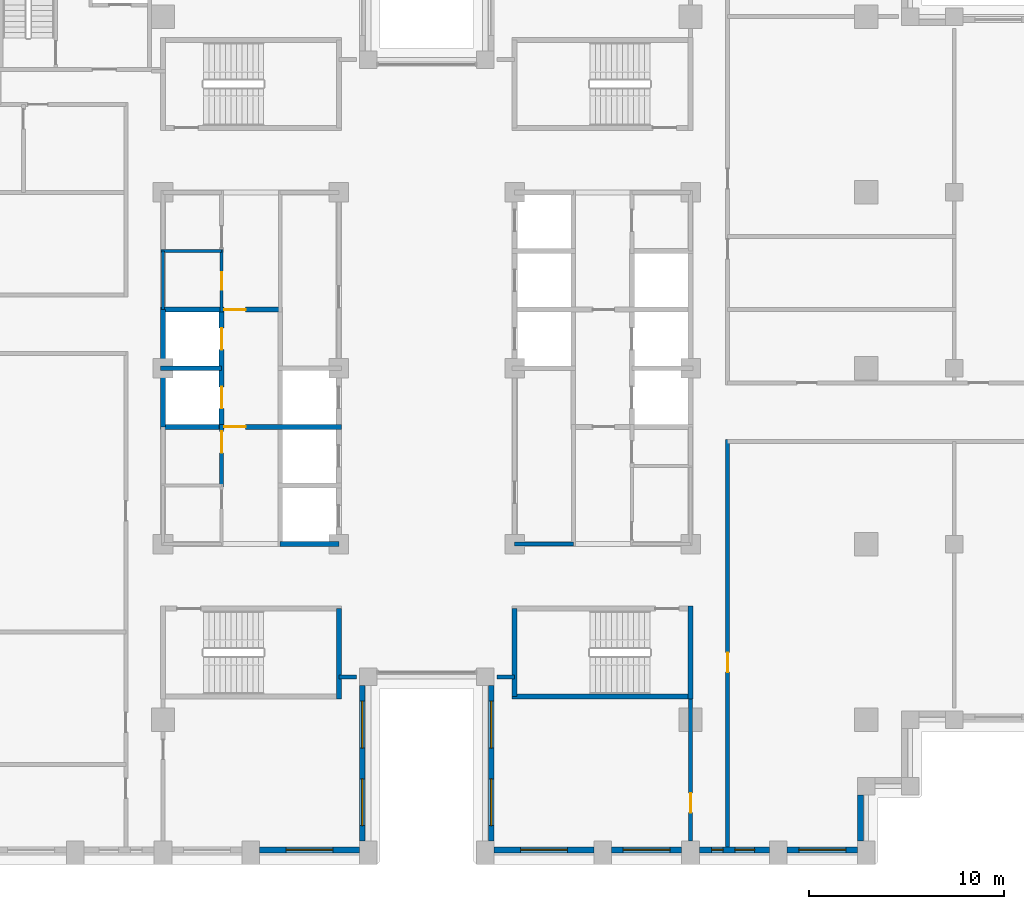
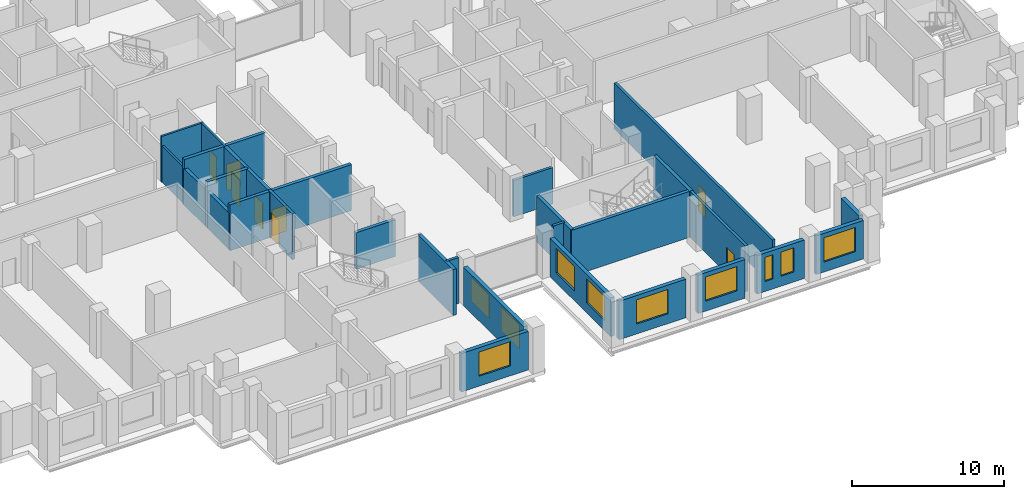
# One storey, part 7 of 15: 27 walls, 10 windows, 8 doors, 18 openings.
"""IFC4 building model written with IfcOpenShell, lengths in metres."""

from ifc_helpers import new_model, si_unit, direction, frame, frame_2d, origin, place, context, subcontext, project, spatial, rectangle, extrude, material, layer, layer_set, type_object, element, fill, save


model = new_model("IFC4")

# Units and contexts
model_context = context("Model", 3, precision=1e-05, world=origin(), true_north=direction((0.0, 1.0)))
body_context = subcontext(model_context, "Body", "Model", "MODEL_VIEW")
ifc_project = project(units=[si_unit("LENGTHUNIT", "METRE"), si_unit("AREAUNIT", "SQUARE_METRE"), si_unit("VOLUMEUNIT", "CUBIC_METRE"), si_unit("PLANEANGLEUNIT", "RADIAN"), si_unit("MASSUNIT", "GRAM", prefix="KILO")], contexts=[model_context])

# Site, building, storey
site_placement = place(None, origin())
site = spatial("IfcSite", under=ifc_project, at=site_placement, CompositionType="ELEMENT")
building_placement = place(site_placement, origin())
building = spatial("IfcBuilding", under=site, at=building_placement, Name="Corbelhall Arena Tower", CompositionType="ELEMENT")
storey_placement = place(building_placement, frame((0.0, 0.0, 80.0)))
storey = spatial("IfcBuildingStorey", under=building, at=storey_placement, Name="L12", CompositionType="ELEMENT", Elevation=80.0)

# Wall, opening, window
ifc_material_1 = material(Name="Precast concrete C40/50 with granite facing", Category="masonry")
ifc_layer_1 = layer(ifc_material_1, 0.300048828125)
ifc_layer_set_1 = layer_set([ifc_layer_1], Name="EV-IW1 Infill panel 300")
wall_type_1 = type_object("IfcWallType", Name="EV-IW1 Infill panel 300", PredefinedType="SOLIDWALL", material=ifc_layer_set_1)
wall_1_placement = place(storey_placement, frame((-8.550048828125, -24.64990234375, 0.0), z_axis=(0.0, 0.0, 1.0), x_axis=(1.0, 0.0, 0.0)))
wall_1 = element("IfcWall", 1, at=wall_1_placement, inside=storey, type_object=wall_type_1, Name="Infill panel IW1", PredefinedType="SOLIDWALL", context=body_context, shape_type="SweptSolid", body=[
    extrude(rectangle(XDim=5.10009765625, YDim=0.300048828125, at=frame_2d((2.550048828125, 0.0))), origin(), (0.0, 0.0, 1.0), 3.10009765625),
])
opening_1_placement = place(wall_1_placement, frame((1.35009765625, 0.0, 0.800048828125)))
opening_1 = element("IfcOpeningElement", 2, at=opening_1_placement, cuts=wall_1, Name="Opening WN1", PredefinedType="OPENING", context=body_context, shape_type="SweptSolid", body=[
    extrude(rectangle(XDim=2.39990234375, YDim=1.949951171875, at=frame_2d((1.199951171875, 0.97509765625))), frame((0.0, 0.14990234375, 0.0), z_axis=(0.0, -1.0, 0.0), x_axis=(1.0, 0.0, 0.0)), (0.0, 0.0, 1.0), 0.300048828125),
])
ifc_material_2 = material(Name="Aluminium black anodised", Category="aluminium")
window_type_1 = type_object("IfcWindowType", Name="EV-WN1 Office window", PartitioningType="SINGLE_PANEL", PredefinedType="WINDOW", material=ifc_material_2)
window_1_placement = place(opening_1_placement, origin())
window_1 = element("IfcWindow", 3, at=window_1_placement, inside=storey, type_object=window_type_1, Name="Window WN1", OverallHeight=1.949951171875, OverallWidth=2.39990234375, PartitioningType="SINGLE_PANEL", PredefinedType="WINDOW", context=body_context, shape_type="SweptSolid", body=[
    extrude(rectangle(XDim=2.39990234375, YDim=1.949951171875, at=frame_2d((1.199951171875, 0.97509765625))), frame((0.0, 0.030029296875, 0.0), z_axis=(0.0, -1.0, 0.0), x_axis=(1.0, 0.0, 0.0)), (0.0, 0.0, 1.0), 0.06005859375),
])
fill(opening_1, window_1)

# Wall, openings, windows
wall_2_placement = place(storey_placement, frame((-3.300048828125, -24.199951171875, 0.0), z_axis=(0.0, 0.0, 1.0), x_axis=(0.0, 1.0, 0.0)))
wall_2 = element("IfcWall", 4, at=wall_2_placement, inside=storey, type_object=wall_type_1, Name="Infill panel IW1", PredefinedType="SOLIDWALL", context=body_context, shape_type="SweptSolid", body=[
    extrude(rectangle(XDim=7.949951171875, YDim=0.300048828125, at=frame_2d((3.97509765625, 0.0))), origin(), (0.0, 0.0, 1.0), 3.10009765625),
])
opening_2_placement = place(wall_2_placement, frame((0.78759765625, 0.0, 0.800048828125)))
opening_2 = element("IfcOpeningElement", 5, at=opening_2_placement, cuts=wall_2, Name="Opening WN1", PredefinedType="OPENING", context=body_context, shape_type="SweptSolid", body=[
    extrude(rectangle(XDim=2.39990234375, YDim=1.949951171875, at=frame_2d((1.199951171875, 0.97509765625))), frame((0.0, 0.14990234375, 0.0), z_axis=(0.0, -1.0, 0.0), x_axis=(1.0, 0.0, 0.0)), (0.0, 0.0, 1.0), 0.300048828125),
])
opening_3_placement = place(wall_2_placement, frame((4.762451171875, 0.0, 0.800048828125)))
opening_3 = element("IfcOpeningElement", 6, at=opening_3_placement, cuts=wall_2, Name="Opening WN1", PredefinedType="OPENING", context=body_context, shape_type="SweptSolid", body=[
    extrude(rectangle(XDim=2.39990234375, YDim=1.949951171875, at=frame_2d((1.199951171875, 0.97509765625))), frame((0.0, 0.14990234375, 0.0), z_axis=(0.0, -1.0, 0.0), x_axis=(1.0, 0.0, 0.0)), (0.0, 0.0, 1.0), 0.300048828125),
])
window_2_placement = place(opening_2_placement, origin())
window_2 = element("IfcWindow", 7, at=window_2_placement, inside=storey, type_object=window_type_1, Name="Window WN1", OverallHeight=1.949951171875, OverallWidth=2.39990234375, PartitioningType="SINGLE_PANEL", PredefinedType="WINDOW", context=body_context, shape_type="SweptSolid", body=[
    extrude(rectangle(XDim=2.39990234375, YDim=1.949951171875, at=frame_2d((1.199951171875, 0.97509765625))), frame((0.0, 0.030029296875, 0.0), z_axis=(0.0, -1.0, 0.0), x_axis=(1.0, 0.0, 0.0)), (0.0, 0.0, 1.0), 0.06005859375),
])
fill(opening_2, window_2)
window_3_placement = place(opening_3_placement, origin())
window_3 = element("IfcWindow", 8, at=window_3_placement, inside=storey, type_object=window_type_1, Name="Window WN1", OverallHeight=1.949951171875, OverallWidth=2.39990234375, PartitioningType="SINGLE_PANEL", PredefinedType="WINDOW", context=body_context, shape_type="SweptSolid", body=[
    extrude(rectangle(XDim=2.39990234375, YDim=1.949951171875, at=frame_2d((1.199951171875, 0.97509765625))), frame((0.0, 0.030029296875, 0.0), z_axis=(0.0, -1.0, 0.0), x_axis=(1.0, 0.0, 0.0)), (0.0, 0.0, 1.0), 0.06005859375),
])
fill(opening_3, window_3)

wall_3_placement = place(storey_placement, frame((3.300048828125, -16.25, 0.0), z_axis=(0.0, 0.0, 1.0), x_axis=(0.0, -1.0, 0.0)))
wall_3 = element("IfcWall", 9, at=wall_3_placement, inside=storey, type_object=wall_type_1, Name="Infill panel IW1", PredefinedType="SOLIDWALL", context=body_context, shape_type="SweptSolid", body=[
    extrude(rectangle(XDim=7.949951171875, YDim=0.300048828125, at=frame_2d((3.97509765625, 0.0))), origin(), (0.0, 0.0, 1.0), 3.10009765625),
])
opening_4_placement = place(wall_3_placement, frame((0.78759765625, 0.0, 0.800048828125)))
opening_4 = element("IfcOpeningElement", 10, at=opening_4_placement, cuts=wall_3, Name="Opening WN1", PredefinedType="OPENING", context=body_context, shape_type="SweptSolid", body=[
    extrude(rectangle(XDim=2.39990234375, YDim=1.949951171875, at=frame_2d((1.199951171875, 0.97509765625))), frame((0.0, 0.14990234375, 0.0), z_axis=(0.0, -1.0, 0.0), x_axis=(1.0, 0.0, 0.0)), (0.0, 0.0, 1.0), 0.300048828125),
])
opening_5_placement = place(wall_3_placement, frame((4.762451171875, 0.0, 0.800048828125)))
opening_5 = element("IfcOpeningElement", 11, at=opening_5_placement, cuts=wall_3, Name="Opening WN1", PredefinedType="OPENING", context=body_context, shape_type="SweptSolid", body=[
    extrude(rectangle(XDim=2.39990234375, YDim=1.949951171875, at=frame_2d((1.199951171875, 0.97509765625))), frame((0.0, 0.14990234375, 0.0), z_axis=(0.0, -1.0, 0.0), x_axis=(1.0, 0.0, 0.0)), (0.0, 0.0, 1.0), 0.300048828125),
])
window_4_placement = place(opening_4_placement, origin())
window_4 = element("IfcWindow", 12, at=window_4_placement, inside=storey, type_object=window_type_1, Name="Window WN1", OverallHeight=1.949951171875, OverallWidth=2.39990234375, PartitioningType="SINGLE_PANEL", PredefinedType="WINDOW", context=body_context, shape_type="SweptSolid", body=[
    extrude(rectangle(XDim=2.39990234375, YDim=1.949951171875, at=frame_2d((1.199951171875, 0.97509765625))), frame((0.0, 0.030029296875, 0.0), z_axis=(0.0, -1.0, 0.0), x_axis=(1.0, 0.0, 0.0)), (0.0, 0.0, 1.0), 0.06005859375),
])
fill(opening_4, window_4)
window_5_placement = place(opening_5_placement, origin())
window_5 = element("IfcWindow", 13, at=window_5_placement, inside=storey, type_object=window_type_1, Name="Window WN1", OverallHeight=1.949951171875, OverallWidth=2.39990234375, PartitioningType="SINGLE_PANEL", PredefinedType="WINDOW", context=body_context, shape_type="SweptSolid", body=[
    extrude(rectangle(XDim=2.39990234375, YDim=1.949951171875, at=frame_2d((1.199951171875, 0.97509765625))), frame((0.0, 0.030029296875, 0.0), z_axis=(0.0, -1.0, 0.0), x_axis=(1.0, 0.0, 0.0)), (0.0, 0.0, 1.0), 0.06005859375),
])
fill(opening_5, window_5)

# Wall, opening, window
wall_4_placement = place(storey_placement, frame((3.449951171875, -24.64990234375, 0.0), z_axis=(0.0, 0.0, 1.0), x_axis=(1.0, 0.0, 0.0)))
wall_4 = element("IfcWall", 14, at=wall_4_placement, inside=storey, type_object=wall_type_1, Name="Infill panel IW1", PredefinedType="SOLIDWALL", context=body_context, shape_type="SweptSolid", body=[
    extrude(rectangle(XDim=5.10009765625, YDim=0.300048828125, at=frame_2d((2.550048828125, 0.0))), origin(), (0.0, 0.0, 1.0), 3.10009765625),
])
opening_6_placement = place(wall_4_placement, frame((1.35009765625, 0.0, 0.800048828125)))
opening_6 = element("IfcOpeningElement", 15, at=opening_6_placement, cuts=wall_4, Name="Opening WN1", PredefinedType="OPENING", context=body_context, shape_type="SweptSolid", body=[
    extrude(rectangle(XDim=2.39990234375, YDim=1.949951171875, at=frame_2d((1.199951171875, 0.97509765625))), frame((0.0, 0.14990234375, 0.0), z_axis=(0.0, -1.0, 0.0), x_axis=(1.0, 0.0, 0.0)), (0.0, 0.0, 1.0), 0.300048828125),
])
window_6_placement = place(opening_6_placement, origin())
window_6 = element("IfcWindow", 16, at=window_6_placement, inside=storey, type_object=window_type_1, Name="Window WN1", OverallHeight=1.949951171875, OverallWidth=2.39990234375, PartitioningType="SINGLE_PANEL", PredefinedType="WINDOW", context=body_context, shape_type="SweptSolid", body=[
    extrude(rectangle(XDim=2.39990234375, YDim=1.949951171875, at=frame_2d((1.199951171875, 0.97509765625))), frame((0.0, 0.030029296875, 0.0), z_axis=(0.0, -1.0, 0.0), x_axis=(1.0, 0.0, 0.0)), (0.0, 0.0, 1.0), 0.06005859375),
])
fill(opening_6, window_6)

wall_5_placement = place(storey_placement, frame((9.449951171875, -24.64990234375, 0.0), z_axis=(0.0, 0.0, 1.0), x_axis=(1.0, 0.0, 0.0)))
wall_5 = element("IfcWall", 17, at=wall_5_placement, inside=storey, type_object=wall_type_1, Name="Infill panel IW1", PredefinedType="SOLIDWALL", context=body_context, shape_type="SweptSolid", body=[
    extrude(rectangle(XDim=3.60009765625, YDim=0.300048828125, at=frame_2d((1.800048828125, 0.0))), origin(), (0.0, 0.0, 1.0), 3.10009765625),
])
opening_7_placement = place(wall_5_placement, frame((0.60009765625, 0.0, 0.800048828125)))
opening_7 = element("IfcOpeningElement", 18, at=opening_7_placement, cuts=wall_5, Name="Opening WN1", PredefinedType="OPENING", context=body_context, shape_type="SweptSolid", body=[
    extrude(rectangle(XDim=2.39990234375, YDim=1.949951171875, at=frame_2d((1.199951171875, 0.97509765625))), frame((0.0, 0.14990234375, 0.0), z_axis=(0.0, -1.0, 0.0), x_axis=(1.0, 0.0, 0.0)), (0.0, 0.0, 1.0), 0.300048828125),
])
window_7_placement = place(opening_7_placement, origin())
window_7 = element("IfcWindow", 19, at=window_7_placement, inside=storey, type_object=window_type_1, Name="Window WN1", OverallHeight=1.949951171875, OverallWidth=2.39990234375, PartitioningType="SINGLE_PANEL", PredefinedType="WINDOW", context=body_context, shape_type="SweptSolid", body=[
    extrude(rectangle(XDim=2.39990234375, YDim=1.949951171875, at=frame_2d((1.199951171875, 0.97509765625))), frame((0.0, 0.030029296875, 0.0), z_axis=(0.0, -1.0, 0.0), x_axis=(1.0, 0.0, 0.0)), (0.0, 0.0, 1.0), 0.06005859375),
])
fill(opening_7, window_7)

# Wall, openings, windows
wall_6_placement = place(storey_placement, frame((13.949951171875, -24.64990234375, 0.0), z_axis=(0.0, 0.0, 1.0), x_axis=(1.0, 0.0, 0.0)))
wall_6 = element("IfcWall", 20, at=wall_6_placement, inside=storey, type_object=wall_type_1, Name="Infill panel IW1", PredefinedType="SOLIDWALL", context=body_context, shape_type="SweptSolid", body=[
    extrude(rectangle(XDim=3.60009765625, YDim=0.300048828125, at=frame_2d((1.800048828125, 0.0))), origin(), (0.0, 0.0, 1.0), 3.10009765625),
])
opening_8_placement = place(wall_6_placement, frame((0.625, 0.0, 0.800048828125)))
opening_8 = element("IfcOpeningElement", 21, at=opening_8_placement, cuts=wall_6, Name="Opening WN5", PredefinedType="OPENING", context=body_context, shape_type="SweptSolid", body=[
    extrude(rectangle(XDim=0.60009765625, YDim=1.949951171875, at=frame_2d((0.300048828125, 0.97509765625))), frame((0.0, 0.14990234375, 0.0), z_axis=(0.0, -1.0, 0.0), x_axis=(1.0, 0.0, 0.0)), (0.0, 0.0, 1.0), 0.300048828125),
])
opening_9_placement = place(wall_6_placement, frame((1.824951171875, 0.0, 0.800048828125)))
opening_9 = element("IfcOpeningElement", 22, at=opening_9_placement, cuts=wall_6, Name="Opening WN6", PredefinedType="OPENING", context=body_context, shape_type="SweptSolid", body=[
    extrude(rectangle(XDim=1.0, YDim=1.949951171875, at=frame_2d((0.5, 0.97509765625))), frame((0.0, 0.14990234375, 0.0), z_axis=(0.0, -1.0, 0.0), x_axis=(1.0, 0.0, 0.0)), (0.0, 0.0, 1.0), 0.300048828125),
])
window_type_2 = type_object("IfcWindowType", Name="EV-WN5 Office window 600", PartitioningType="SINGLE_PANEL", PredefinedType="WINDOW", material=ifc_material_2)
window_8_placement = place(opening_8_placement, origin())
window_8 = element("IfcWindow", 23, at=window_8_placement, inside=storey, type_object=window_type_2, Name="Window WN5", OverallHeight=1.949951171875, OverallWidth=0.60009765625, PartitioningType="SINGLE_PANEL", PredefinedType="WINDOW", context=body_context, shape_type="SweptSolid", body=[
    extrude(rectangle(XDim=0.60009765625, YDim=1.949951171875, at=frame_2d((0.300048828125, 0.97509765625))), frame((0.0, 0.030029296875, 0.0), z_axis=(0.0, -1.0, 0.0), x_axis=(1.0, 0.0, 0.0)), (0.0, 0.0, 1.0), 0.06005859375),
])
fill(opening_8, window_8)
window_type_3 = type_object("IfcWindowType", Name="EV-WN6 Office window 1000", PartitioningType="SINGLE_PANEL", PredefinedType="WINDOW", material=ifc_material_2)
window_9_placement = place(opening_9_placement, origin())
window_9 = element("IfcWindow", 24, at=window_9_placement, inside=storey, type_object=window_type_3, Name="Window WN6", OverallHeight=1.949951171875, OverallWidth=1.0, PartitioningType="SINGLE_PANEL", PredefinedType="WINDOW", context=body_context, shape_type="SweptSolid", body=[
    extrude(rectangle(XDim=1.0, YDim=1.949951171875, at=frame_2d((0.5, 0.97509765625))), frame((0.0, 0.030029296875, 0.0), z_axis=(0.0, -1.0, 0.0), x_axis=(1.0, 0.0, 0.0)), (0.0, 0.0, 1.0), 0.06005859375),
])
fill(opening_9, window_9)

# Wall, opening, window
wall_7_placement = place(storey_placement, frame((18.449951171875, -24.64990234375, 0.0), z_axis=(0.0, 0.0, 1.0), x_axis=(1.0, 0.0, 0.0)))
wall_7 = element("IfcWall", 25, at=wall_7_placement, inside=storey, type_object=wall_type_1, Name="Infill panel IW1", PredefinedType="SOLIDWALL", context=body_context, shape_type="SweptSolid", body=[
    extrude(rectangle(XDim=3.60009765625, YDim=0.300048828125, at=frame_2d((1.800048828125, 0.0))), origin(), (0.0, 0.0, 1.0), 3.10009765625),
])
opening_10_placement = place(wall_7_placement, frame((0.60009765625, 0.0, 0.800048828125)))
opening_10 = element("IfcOpeningElement", 26, at=opening_10_placement, cuts=wall_7, Name="Opening WN1", PredefinedType="OPENING", context=body_context, shape_type="SweptSolid", body=[
    extrude(rectangle(XDim=2.39990234375, YDim=1.949951171875, at=frame_2d((1.199951171875, 0.97509765625))), frame((0.0, 0.14990234375, 0.0), z_axis=(0.0, -1.0, 0.0), x_axis=(1.0, 0.0, 0.0)), (0.0, 0.0, 1.0), 0.300048828125),
])
window_10_placement = place(opening_10_placement, origin())
window_10 = element("IfcWindow", 27, at=window_10_placement, inside=storey, type_object=window_type_1, Name="Window WN1", OverallHeight=1.949951171875, OverallWidth=2.39990234375, PartitioningType="SINGLE_PANEL", PredefinedType="WINDOW", context=body_context, shape_type="SweptSolid", body=[
    extrude(rectangle(XDim=2.39990234375, YDim=1.949951171875, at=frame_2d((1.199951171875, 0.97509765625))), frame((0.0, 0.030029296875, 0.0), z_axis=(0.0, -1.0, 0.0), x_axis=(1.0, 0.0, 0.0)), (0.0, 0.0, 1.0), 0.06005859375),
])
fill(opening_10, window_10)

# Walls
wall_8_placement = place(storey_placement, frame((22.199951171875, -24.199951171875, 0.0), z_axis=(0.0, 0.0, 1.0), x_axis=(0.0, 1.0, 0.0)))
element("IfcWall", 28, at=wall_8_placement, inside=storey, type_object=wall_type_1, Name="Infill panel IW1", PredefinedType="SOLIDWALL", context=body_context, shape_type="SweptSolid", body=[
    extrude(rectangle(XDim=2.349853515625, YDim=0.300048828125, at=frame_2d((1.1748046875, 0.0))), origin(), (0.0, 0.0, 1.0), 3.10009765625),
])
ifc_material_3 = material(Name="Gypsum board on steel stud, acoustic", Category="steel")
ifc_layer_2 = layer(ifc_material_3, 0.199951171875)
ifc_layer_set_2 = layer_set([ifc_layer_2], Name="IN-W-DM200")
wall_type_2 = type_object("IfcWallType", Name="IN-W-DM200", PredefinedType="PARTITIONING", material=ifc_layer_set_2)
for number, where, z_axis, x_axis, name in (
    (29, (-3.60009765625, -15.800048828125, 0.0), (0.0, 0.0, 1.0), (-1.0, 0.0, 0.0), "Partition 023"),
    (30, (4.5, -15.800048828125, 0.0), (0.0, 0.0, 1.0), (-1.0, 0.0, 0.0), "Partition 025"),
):
    element("IfcWall", number, at=place(storey_placement, frame(where, z_axis=z_axis, x_axis=x_axis)), inside=storey, type_object=wall_type_2, Name=name, PredefinedType="PARTITIONING", context=body_context, shape_type="SweptSolid", body=[
        extrude(rectangle(XDim=0.89990234375, YDim=0.199951171875, at=frame_2d((0.449951171875, 0.0))), origin(), (0.0, 0.0, 1.0), 3.699951171875),
    ])

# Wall, opening, door
wall_9_placement = place(storey_placement, frame((13.5, -24.199951171875, 0.0), z_axis=(0.0, 0.0, 1.0), x_axis=(0.0, 1.0, 0.0)))
wall_9 = element("IfcWall", 31, at=wall_9_placement, inside=storey, type_object=wall_type_2, Name="Partition 026", PredefinedType="PARTITIONING", context=body_context, shape_type="SweptSolid", body=[
    extrude(rectangle(XDim=7.52490234375, YDim=0.199951171875, at=frame_2d((3.762451171875, 0.0))), origin(), (0.0, 0.0, 1.0), 3.699951171875),
])
opening_11_placement = place(wall_9_placement, frame((1.449951171875, 0.0, 0.0)))
opening_11 = element("IfcOpeningElement", 32, at=opening_11_placement, cuts=wall_9, Name="Opening 02025", PredefinedType="OPENING", context=body_context, shape_type="SweptSolid", body=[
    extrude(rectangle(XDim=1.0, YDim=2.10009765625, at=frame_2d((0.5, 1.050048828125))), frame((0.0, 0.10009765625, 0.0), z_axis=(0.0, -1.0, 0.0), x_axis=(1.0, 0.0, 0.0)), (0.0, 0.0, 1.0), 0.199951171875),
])
ifc_material_4 = material(Name="Steel door set", Category="steel")
door_type_1 = type_object("IfcDoorType", Name="IN-D-SW100", OperationType="NOTDEFINED", PredefinedType="DOOR", material=ifc_material_4)
door_1_placement = place(opening_11_placement, origin())
door_1 = element("IfcDoor", 33, at=door_1_placement, inside=storey, type_object=door_type_1, Name="Door 025", OperationType="SINGLE_SWING_RIGHT", OverallHeight=2.10009765625, OverallWidth=1.0, PredefinedType="DOOR", context=body_context, shape_type="SweptSolid", body=[
    extrude(rectangle(XDim=1.0, YDim=2.10009765625, at=frame_2d((0.5, 1.050048828125))), frame((0.0, 0.02490234375, 0.0), z_axis=(0.0, -1.0, 0.0), x_axis=(1.0, 0.0, 0.0)), (0.0, 0.0, 1.0), 0.050048828125),
])
fill(opening_11, door_1)

wall_10_placement = place(storey_placement, frame((15.39990234375, -3.64990234375, 0.0), z_axis=(0.0, 0.0, 1.0), x_axis=(0.0, -1.0, 0.0)))
wall_10 = element("IfcWall", 34, at=wall_10_placement, inside=storey, type_object=wall_type_2, Name="Partition 028", PredefinedType="PARTITIONING", context=body_context, shape_type="SweptSolid", body=[
    extrude(rectangle(XDim=20.85009765625, YDim=0.199951171875, at=frame_2d((10.425048828125, 0.0))), origin(), (0.0, 0.0, 1.0), 3.699951171875),
])
opening_12_placement = place(wall_10_placement, frame((10.89990234375, 0.0, 0.0)))
opening_12 = element("IfcOpeningElement", 35, at=opening_12_placement, cuts=wall_10, Name="Opening 02036", PredefinedType="OPENING", context=body_context, shape_type="SweptSolid", body=[
    extrude(rectangle(XDim=1.0, YDim=2.10009765625, at=frame_2d((0.5, 1.050048828125))), frame((0.0, 0.10009765625, 0.0), z_axis=(0.0, -1.0, 0.0), x_axis=(1.0, 0.0, 0.0)), (0.0, 0.0, 1.0), 0.199951171875),
])
door_2_placement = place(opening_12_placement, origin())
door_2 = element("IfcDoor", 36, at=door_2_placement, inside=storey, type_object=door_type_1, Name="Door 036", OperationType="SINGLE_SWING_LEFT", OverallHeight=2.10009765625, OverallWidth=1.0, PredefinedType="DOOR", context=body_context, shape_type="SweptSolid", body=[
    extrude(rectangle(XDim=1.0, YDim=2.10009765625, at=frame_2d((0.5, 1.050048828125))), frame((0.0, 0.02490234375, 0.0), z_axis=(0.0, -1.0, 0.0), x_axis=(1.0, 0.0, 0.0)), (0.0, 0.0, 1.0), 0.050048828125),
])
fill(opening_12, door_2)

ifc_material_5 = material(Name="Concrete block wall", Category="concrete")
ifc_layer_3 = layer(ifc_material_5, 0.199951171875)
ifc_layer_set_3 = layer_set([ifc_layer_3], Name="IN-W-RS200")
wall_type_3 = type_object("IfcWallType", Name="IN-W-RS200", PredefinedType="SOLIDWALL", material=ifc_layer_set_3)
wall_11_placement = place(storey_placement, frame((-10.5, -6.074951171875, 0.0), z_axis=(0.0, 0.0, 1.0), x_axis=(0.0, 1.0, 0.0)))
wall_11 = element("IfcWall", 37, at=wall_11_placement, inside=storey, type_object=wall_type_3, Name="Partition 045", PredefinedType="SOLIDWALL", context=body_context, shape_type="SweptSolid", body=[
    extrude(rectangle(XDim=3.199951171875, YDim=0.199951171875, at=frame_2d((1.60009765625, 0.0))), origin(), (0.0, 0.0, 1.0), 3.699951171875),
])
opening_13_placement = place(wall_11_placement, frame((1.75, 0.0, 0.0)))
opening_13 = element("IfcOpeningElement", 38, at=opening_13_placement, cuts=wall_11, Name="Opening 02005", PredefinedType="OPENING", context=body_context, shape_type="SweptSolid", body=[
    extrude(rectangle(XDim=1.10009765625, YDim=2.10009765625, at=frame_2d((0.550048828125, 1.050048828125))), frame((0.0, 0.10009765625, 0.0), z_axis=(0.0, -1.0, 0.0), x_axis=(1.0, 0.0, 0.0)), (0.0, 0.0, 1.0), 0.199951171875),
])
door_type_2 = type_object("IfcDoorType", Name="IN-D-FD110", OperationType="NOTDEFINED", PredefinedType="DOOR", material=ifc_material_4)
door_3_placement = place(opening_13_placement, origin())
door_3 = element("IfcDoor", 39, at=door_3_placement, inside=storey, type_object=door_type_2, Name="Door 005", OperationType="SINGLE_SWING_RIGHT", OverallHeight=2.10009765625, OverallWidth=1.10009765625, PredefinedType="DOOR", context=body_context, shape_type="SweptSolid", body=[
    extrude(rectangle(XDim=1.10009765625, YDim=2.10009765625, at=frame_2d((0.550048828125, 1.050048828125))), frame((0.0, 0.02490234375, 0.0), z_axis=(0.0, -1.0, 0.0), x_axis=(1.0, 0.0, 0.0)), (0.0, 0.0, 1.0), 0.050048828125),
])
fill(opening_13, door_3)

# Walls
ifc_layer_4 = layer(ifc_material_5, 0.199951171875)
ifc_layer_set_4 = layer_set([ifc_layer_4], Name="IN-W-RS200 under beam 762 mm")
wall_type_4 = type_object("IfcWallType", Name="IN-W-RS200 under beam 762 mm", PredefinedType="SOLIDWALL", material=ifc_layer_set_4)
wall_12_placement = place(storey_placement, frame((7.5, -9.0, 0.0), z_axis=(0.0, 0.0, 1.0), x_axis=(-1.0, 0.0, 0.0)))
element("IfcWall", 40, at=wall_12_placement, inside=storey, type_object=wall_type_4, Name="Partition 051", PredefinedType="SOLIDWALL", context=body_context, shape_type="SweptSolid", body=[
    extrude(rectangle(XDim=3.0, YDim=0.199951171875, at=frame_2d((1.5, 0.0))), origin(), (0.0, 0.0, 1.0), 2.93798828125),
])
ifc_material_6 = material(Name="Concrete C40/50", Category="concrete")
ifc_layer_5 = layer(ifc_material_6, 0.25)
ifc_layer_set_5 = layer_set([ifc_layer_5], Name="IN-W-SH250")
wall_type_5 = type_object("IfcWallType", Name="IN-W-SH250", PredefinedType="SOLIDWALL", material=ifc_layer_set_5)
wall_13_placement = place(storey_placement, frame((-13.625, 0.0, 0.0), z_axis=(0.0, 0.0, 1.0), x_axis=(1.0, 0.0, 0.0)))
element("IfcWall", 41, at=wall_13_placement, inside=storey, type_object=wall_type_5, Name="Shaft wall 058", PredefinedType="SOLIDWALL", context=body_context, shape_type="SweptSolid", body=[
    extrude(rectangle(XDim=3.125, YDim=0.25, at=frame_2d((1.5625, 0.0))), origin(), (0.0, 0.0, 1.0), 3.699951171875),
])

# Wall, opening, door
wall_14_placement = place(storey_placement, frame((-13.625, 3.0, 0.0), z_axis=(0.0, 0.0, 1.0), x_axis=(1.0, 0.0, 0.0)))
wall_14 = element("IfcWall", 42, at=wall_14_placement, inside=storey, type_object=wall_type_5, Name="Shaft wall 059", PredefinedType="SOLIDWALL", context=body_context, shape_type="SweptSolid", body=[
    extrude(rectangle(XDim=6.125, YDim=0.25, at=frame_2d((3.0625, 0.0))), origin(), (0.0, 0.0, 1.0), 3.699951171875),
])
opening_14_placement = place(wall_14_placement, frame((3.25, 0.0, 0.0)))
opening_14 = element("IfcOpeningElement", 43, at=opening_14_placement, cuts=wall_14, Name="Opening 02003", PredefinedType="OPENING", context=body_context, shape_type="SweptSolid", body=[
    extrude(rectangle(XDim=1.10009765625, YDim=2.10009765625, at=frame_2d((0.550048828125, 1.050048828125))), frame((0.0, 0.125, 0.0), z_axis=(0.0, -1.0, 0.0), x_axis=(1.0, 0.0, 0.0)), (0.0, 0.0, 1.0), 0.25),
])
door_4_placement = place(opening_14_placement, origin())
door_4 = element("IfcDoor", 44, at=door_4_placement, inside=storey, type_object=door_type_2, Name="Door 003", OperationType="SINGLE_SWING_RIGHT", OverallHeight=2.10009765625, OverallWidth=1.10009765625, PredefinedType="DOOR", context=body_context, shape_type="SweptSolid", body=[
    extrude(rectangle(XDim=1.10009765625, YDim=2.10009765625, at=frame_2d((0.550048828125, 1.050048828125))), frame((0.0, 0.02490234375, 0.0), z_axis=(0.0, -1.0, 0.0), x_axis=(1.0, 0.0, 0.0)), (0.0, 0.0, 1.0), 0.050048828125),
])
fill(opening_14, door_4)

wall_15_placement = place(storey_placement, frame((-13.625, -3.0, 0.0), z_axis=(0.0, 0.0, 1.0), x_axis=(1.0, 0.0, 0.0)))
wall_15 = element("IfcWall", 45, at=wall_15_placement, inside=storey, type_object=wall_type_5, Name="Shaft wall 061", PredefinedType="SOLIDWALL", context=body_context, shape_type="SweptSolid", body=[
    extrude(rectangle(XDim=9.25, YDim=0.25, at=frame_2d((4.625, 0.0))), origin(), (0.0, 0.0, 1.0), 3.699951171875),
])
opening_15_placement = place(wall_15_placement, frame((3.25, 0.0, 0.0)))
opening_15 = element("IfcOpeningElement", 46, at=opening_15_placement, cuts=wall_15, Name="Opening 02002", PredefinedType="OPENING", context=body_context, shape_type="SweptSolid", body=[
    extrude(rectangle(XDim=1.10009765625, YDim=2.10009765625, at=frame_2d((0.550048828125, 1.050048828125))), frame((0.0, 0.125, 0.0), z_axis=(0.0, -1.0, 0.0), x_axis=(1.0, 0.0, 0.0)), (0.0, 0.0, 1.0), 0.25),
])
door_5_placement = place(opening_15_placement, origin())
door_5 = element("IfcDoor", 47, at=door_5_placement, inside=storey, type_object=door_type_2, Name="Door 002", OperationType="SINGLE_SWING_LEFT", OverallHeight=2.10009765625, OverallWidth=1.10009765625, PredefinedType="DOOR", context=body_context, shape_type="SweptSolid", body=[
    extrude(rectangle(XDim=1.10009765625, YDim=2.10009765625, at=frame_2d((0.550048828125, 1.050048828125))), frame((0.0, 0.02490234375, 0.0), z_axis=(0.0, -1.0, 0.0), x_axis=(1.0, 0.0, 0.0)), (0.0, 0.0, 1.0), 0.050048828125),
])
fill(opening_15, door_5)

# Wall, openings, doors
wall_16_placement = place(storey_placement, frame((-10.5, -3.125, 0.0), z_axis=(0.0, 0.0, 1.0), x_axis=(0.0, 1.0, 0.0)))
wall_16 = element("IfcWall", 48, at=wall_16_placement, inside=storey, type_object=wall_type_5, Name="Shaft wall 062", PredefinedType="SOLIDWALL", context=body_context, shape_type="SweptSolid", body=[
    extrude(rectangle(XDim=6.25, YDim=0.25, at=frame_2d((3.125, 0.0))), origin(), (0.0, 0.0, 1.0), 3.699951171875),
])
opening_16_placement = place(wall_16_placement, frame((1.074951171875, 0.0, 0.0)))
opening_16 = element("IfcOpeningElement", 49, at=opening_16_placement, cuts=wall_16, Name="Opening LD", PredefinedType="OPENING", context=body_context, shape_type="SweptSolid", body=[
    extrude(rectangle(XDim=1.10009765625, YDim=2.10009765625, at=frame_2d((0.550048828125, 1.050048828125))), frame((0.0, 0.125, 0.0), z_axis=(0.0, -1.0, 0.0), x_axis=(1.0, 0.0, 0.0)), (0.0, 0.0, 1.0), 0.25),
])
opening_17_placement = place(wall_16_placement, frame((4.074951171875, 0.0, 0.0)))
opening_17 = element("IfcOpeningElement", 50, at=opening_17_placement, cuts=wall_16, Name="Opening LD", PredefinedType="OPENING", context=body_context, shape_type="SweptSolid", body=[
    extrude(rectangle(XDim=1.10009765625, YDim=2.10009765625, at=frame_2d((0.550048828125, 1.050048828125))), frame((0.0, 0.125, 0.0), z_axis=(0.0, -1.0, 0.0), x_axis=(1.0, 0.0, 0.0)), (0.0, 0.0, 1.0), 0.25),
])
door_type_3 = type_object("IfcDoorType", Name="IN-D-LD110", OperationType="NOTDEFINED", PredefinedType="DOOR", material=ifc_material_4)
door_6_placement = place(opening_16_placement, origin())
door_6 = element("IfcDoor", 51, at=door_6_placement, inside=storey, type_object=door_type_3, Name="Landing door W3", OperationType="SLIDING_TO_LEFT", OverallHeight=2.10009765625, OverallWidth=1.10009765625, PredefinedType="DOOR", context=body_context, shape_type="SweptSolid", body=[
    extrude(rectangle(XDim=1.10009765625, YDim=2.10009765625, at=frame_2d((0.550048828125, 1.050048828125))), frame((0.0, 0.02490234375, 0.0), z_axis=(0.0, -1.0, 0.0), x_axis=(1.0, 0.0, 0.0)), (0.0, 0.0, 1.0), 0.050048828125),
])
fill(opening_16, door_6)
door_7_placement = place(opening_17_placement, origin())
door_7 = element("IfcDoor", 52, at=door_7_placement, inside=storey, type_object=door_type_3, Name="Landing door W4", OperationType="SLIDING_TO_LEFT", OverallHeight=2.10009765625, OverallWidth=1.10009765625, PredefinedType="DOOR", context=body_context, shape_type="SweptSolid", body=[
    extrude(rectangle(XDim=1.10009765625, YDim=2.10009765625, at=frame_2d((0.550048828125, 1.050048828125))), frame((0.0, 0.02490234375, 0.0), z_axis=(0.0, -1.0, 0.0), x_axis=(1.0, 0.0, 0.0)), (0.0, 0.0, 1.0), 0.050048828125),
])
fill(opening_17, door_7)

# Walls
ifc_layer_6 = layer(ifc_material_6, 0.25)
ifc_layer_set_6 = layer_set([ifc_layer_6], Name="IN-W-SH250 under beam 762 mm")
wall_type_6 = type_object("IfcWallType", Name="IN-W-SH250 under beam 762 mm", PredefinedType="SOLIDWALL", material=ifc_layer_set_6)
wall_17_placement = place(storey_placement, frame((-13.5, -3.0, 0.0), z_axis=(0.0, 0.0, 1.0), x_axis=(0.0, 1.0, 0.0)))
element("IfcWall", 53, at=wall_17_placement, inside=storey, type_object=wall_type_6, Name="Shaft wall 060", PredefinedType="SOLIDWALL", context=body_context, shape_type="SweptSolid", body=[
    extrude(rectangle(XDim=6.0, YDim=0.25, at=frame_2d((3.0, 0.0))), origin(), (0.0, 0.0, 1.0), 2.93798828125),
])
wall_18_placement = place(storey_placement, frame((-4.5, -9.0, 0.0), z_axis=(0.0, 0.0, 1.0), x_axis=(-1.0, 0.0, 0.0)))
element("IfcWall", 54, at=wall_18_placement, inside=storey, type_object=wall_type_6, Name="Shaft wall 066", PredefinedType="SOLIDWALL", context=body_context, shape_type="SweptSolid", body=[
    extrude(rectangle(XDim=3.0, YDim=0.25, at=frame_2d((1.5, 0.0))), origin(), (0.0, 0.0, 1.0), 2.93798828125),
])
ifc_layer_7 = layer(ifc_material_6, 0.25)
ifc_layer_set_7 = layer_set([ifc_layer_7], Name="IN-W-ST250")
wall_type_7 = type_object("IfcWallType", Name="IN-W-ST250", PredefinedType="SOLIDWALL", material=ifc_layer_set_7)
wall_19_placement = place(storey_placement, frame((-4.5, -12.300048828125, 0.0), z_axis=(0.0, 0.0, 1.0), x_axis=(0.0, -1.0, 0.0)))
element("IfcWall", 55, at=wall_19_placement, inside=storey, type_object=wall_type_7, Name="Shaft wall 090", PredefinedType="SOLIDWALL", context=body_context, shape_type="SweptSolid", body=[
    extrude(rectangle(XDim=4.625, YDim=0.25, at=frame_2d((2.3125, 0.0))), origin(), (0.0, 0.0, 1.0), 3.699951171875),
])
wall_20_placement = place(storey_placement, frame((4.5, -16.800048828125, 0.0), z_axis=(0.0, 0.0, 1.0), x_axis=(0.0, 1.0, 0.0)))
element("IfcWall", 56, at=wall_20_placement, inside=storey, type_object=wall_type_7, Name="Shaft wall 095", PredefinedType="SOLIDWALL", context=body_context, shape_type="SweptSolid", body=[
    extrude(rectangle(XDim=4.5, YDim=0.25, at=frame_2d((2.25, 0.0))), origin(), (0.0, 0.0, 1.0), 3.699951171875),
])
wall_21_placement = place(storey_placement, frame((13.5, -16.925048828125, 0.0), z_axis=(0.0, 0.0, 1.0), x_axis=(0.0, 1.0, 0.0)))
element("IfcWall", 57, at=wall_21_placement, inside=storey, type_object=wall_type_7, Name="Shaft wall 097", PredefinedType="SOLIDWALL", context=body_context, shape_type="SweptSolid", body=[
    extrude(rectangle(XDim=4.75, YDim=0.25, at=frame_2d((2.375, 0.0))), origin(), (0.0, 0.0, 1.0), 3.699951171875),
])
wall_22_placement = place(storey_placement, frame((13.5, -16.800048828125, 0.0), z_axis=(0.0, 0.0, 1.0), x_axis=(-1.0, 0.0, 0.0)))
element("IfcWall", 58, at=wall_22_placement, inside=storey, type_object=wall_type_7, Name="Shaft wall 098", PredefinedType="SOLIDWALL", context=body_context, shape_type="SweptSolid", body=[
    extrude(rectangle(XDim=9.125, YDim=0.25, at=frame_2d((4.5625, 0.0))), origin(), (0.0, 0.0, 1.0), 3.699951171875),
])
ifc_material_7 = material(Name="Gypsum board on steel stud, moisture resistant", Category="steel")
ifc_layer_8 = layer(ifc_material_7, 0.14990234375)
ifc_layer_set_8 = layer_set([ifc_layer_8], Name="IN-W-WC150")
wall_type_8 = type_object("IfcWallType", Name="IN-W-WC150", PredefinedType="PARTITIONING", material=ifc_layer_set_8)
wall_23_placement = place(storey_placement, frame((-13.60009765625, 6.0, 0.0), z_axis=(0.0, 0.0, 1.0), x_axis=(1.0, 0.0, 0.0)))
element("IfcWall", 59, at=wall_23_placement, inside=storey, type_object=wall_type_8, Name="Partition 108", PredefinedType="PARTITIONING", context=body_context, shape_type="SweptSolid", body=[
    extrude(rectangle(XDim=3.10009765625, YDim=0.14990234375, at=frame_2d((1.550048828125, 0.0))), origin(), (0.0, 0.0, 1.0), 3.699951171875),
])

# Wall, opening, door
wall_24_placement = place(storey_placement, frame((-10.5, 2.875, 0.0), z_axis=(0.0, 0.0, 1.0), x_axis=(0.0, 1.0, 0.0)))
wall_24 = element("IfcWall", 60, at=wall_24_placement, inside=storey, type_object=wall_type_8, Name="Partition 113", PredefinedType="PARTITIONING", context=body_context, shape_type="SweptSolid", body=[
    extrude(rectangle(XDim=3.199951171875, YDim=0.14990234375, at=frame_2d((1.60009765625, 0.0))), origin(), (0.0, 0.0, 1.0), 3.699951171875),
])
opening_18_placement = place(wall_24_placement, frame((1.14990234375, 0.0, 0.0)))
opening_18 = element("IfcOpeningElement", 61, at=opening_18_placement, cuts=wall_24, Name="Opening 02006", PredefinedType="OPENING", context=body_context, shape_type="SweptSolid", body=[
    extrude(rectangle(XDim=0.89990234375, YDim=2.10009765625, at=frame_2d((0.449951171875, 1.050048828125))), frame((0.0, 0.074951171875, 0.0), z_axis=(0.0, -1.0, 0.0), x_axis=(1.0, 0.0, 0.0)), (0.0, 0.0, 1.0), 0.14990234375),
])
ifc_material_8 = material(Name="Timber door set", Category="wood")
door_type_4 = type_object("IfcDoorType", Name="IN-D-SW90", OperationType="NOTDEFINED", PredefinedType="DOOR", material=ifc_material_8)
door_8_placement = place(opening_18_placement, origin())
door_8 = element("IfcDoor", 62, at=door_8_placement, inside=storey, type_object=door_type_4, Name="Door 006", OperationType="SINGLE_SWING_LEFT", OverallHeight=2.10009765625, OverallWidth=0.89990234375, PredefinedType="DOOR", context=body_context, shape_type="SweptSolid", body=[
    extrude(rectangle(XDim=0.89990234375, YDim=2.10009765625, at=frame_2d((0.449951171875, 1.050048828125))), frame((0.0, 0.02490234375, 0.0), z_axis=(0.0, -1.0, 0.0), x_axis=(1.0, 0.0, 0.0)), (0.0, 0.0, 1.0), 0.050048828125),
])
fill(opening_18, door_8)

# Wall
ifc_layer_9 = layer(ifc_material_7, 0.14990234375)
ifc_layer_set_9 = layer_set([ifc_layer_9], Name="IN-W-WC150 under beam 762 mm")
wall_type_9 = type_object("IfcWallType", Name="IN-W-WC150 under beam 762 mm", PredefinedType="PARTITIONING", material=ifc_layer_set_9)
wall_25_placement = place(storey_placement, frame((-13.5, 3.0, 0.0), z_axis=(0.0, 0.0, 1.0), x_axis=(0.0, 1.0, 0.0)))
element("IfcWall", 63, at=wall_25_placement, inside=storey, type_object=wall_type_9, Name="Partition 110", PredefinedType="PARTITIONING", context=body_context, shape_type="SweptSolid", body=[
    extrude(rectangle(XDim=3.0, YDim=0.14990234375, at=frame_2d((1.5, 0.0))), origin(), (0.0, 0.0, 1.0), 2.93798828125),
])

save(model, "model.ifc")
